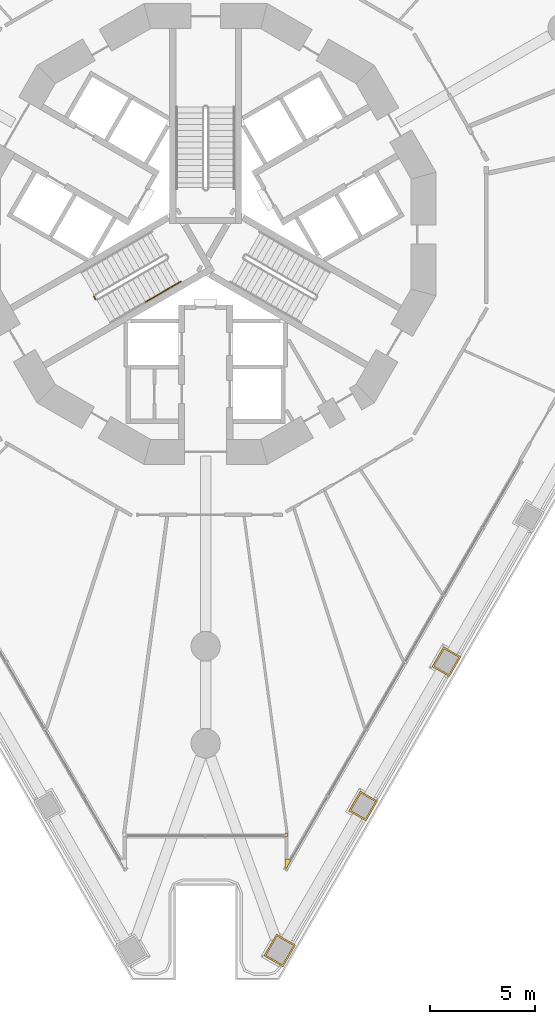
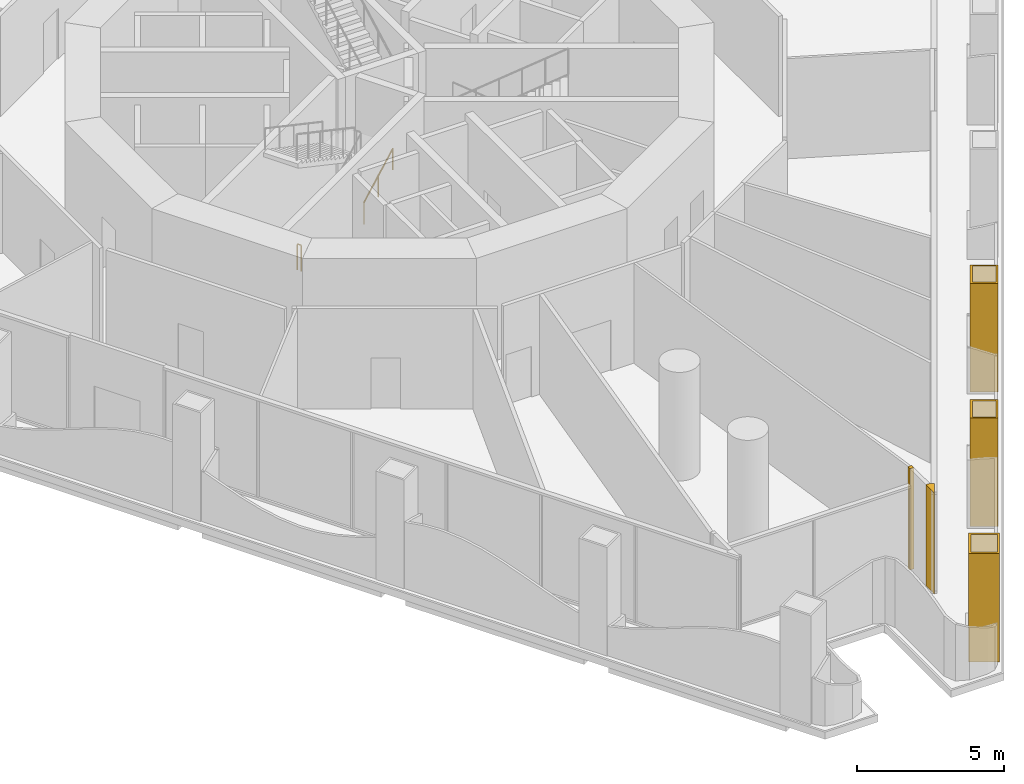
# One storey, part 16 of 21: 5 coverings, 2 railings.
"""IFC4 building model written with IfcOpenShell, lengths in metres."""

from ifc_helpers import new_model, si_unit, direction, frame, origin, origin_2d, place, context, subcontext, project, spatial, polyline, circle, outline, extrude, material, layer, layer_set, type_object, element, save


model = new_model("IFC4")

# Units and contexts
model_context = context("Model", 3, precision=1e-05, world=origin(), true_north=direction((0.0, 1.0)))
body_context = subcontext(model_context, "Body", "Model", "MODEL_VIEW")
ifc_project = project(units=[si_unit("LENGTHUNIT", "METRE"), si_unit("AREAUNIT", "SQUARE_METRE"), si_unit("VOLUMEUNIT", "CUBIC_METRE"), si_unit("PLANEANGLEUNIT", "RADIAN"), si_unit("MASSUNIT", "GRAM", prefix="KILO")], contexts=[model_context])

# Site, building, storey
site_placement = place(None, origin())
site = spatial("IfcSite", under=ifc_project, at=site_placement, CompositionType="ELEMENT")
building_placement = place(site_placement, origin())
building = spatial("IfcBuilding", under=site, at=building_placement, Name="Trine Commons Tower", CompositionType="ELEMENT")
storey_placement = place(building_placement, frame((0.0, 0.0, 27.0)))
storey = spatial("IfcBuildingStorey", under=building, at=storey_placement, Name="L05", CompositionType="ELEMENT", Elevation=27.0)

# Coverings
ifc_material_1 = material(Name="Aluminium-framed insulated wall panel", Category="aluminium")
ifc_layer_1 = layer(ifc_material_1, 0.14990234375)
ifc_layer_set_1 = layer_set([ifc_layer_1], Name="Aluminium-framed insulated wall panel")
covering_type_1 = type_object("IfcCoveringType", Name="Glazing corner post, aluminium", PredefinedType="CLADDING", material=ifc_layer_set_1)
covering_1_placement = place(storey_placement, origin())
element("IfcCovering", 1, at=covering_1_placement, inside=storey, type_object=covering_type_1, Name="Glazing corner post 1-09", PredefinedType="CLADDING", context=body_context, shape_type="SweptSolid", body=[
    extrude(outline(polyline([(83.7900390625, 32.635009765625), (83.7900390625, 32.0751953125), (84.06982421875, 32.56005859375), (83.93994140625, 32.635009765625), (83.93994140625, 32.635009765625), (83.7900390625, 32.635009765625)])), origin(), (0.0, 0.0, 1.0), 4.199951171875),
])
covering_2_placement = place(storey_placement, origin())
element("IfcCovering", 2, at=covering_2_placement, inside=storey, type_object=covering_type_1, Name="Glazing corner post 1-10", PredefinedType="CLADDING", context=body_context, shape_type="SweptSolid", body=[
    extrude(outline(polyline([(83.93994140625, 33.720703125), (83.93994140625, 33.870849609375), (83.7900390625, 33.870849609375), (83.7900390625, 33.720703125), (83.93994140625, 33.720703125)])), origin(), (0.0, 0.0, 1.0), 4.199951171875),
])
ifc_material_2 = material(Name="Limestone, honed", Category="masonry")
ifc_layer_2 = layer(ifc_material_2, 0.074951171875)
ifc_layer_set_2 = layer_set([ifc_layer_2], Name="Limestone, honed")
covering_type_2 = type_object("IfcCoveringType", Name="Limestone column cladding 75", PredefinedType="CLADDING", material=ifc_layer_set_2)
covering_3_placement = place(storey_placement, origin())
element("IfcCovering", 3, at=covering_3_placement, inside=storey, type_object=covering_type_2, Name="Limestone pier cladding 1-22", PredefinedType="CLADDING", context=body_context, shape_type="SweptSolid", body=[
    extrude(outline(polyline([(92.1943359375, 42.3017578125), (91.37158203125, 42.77685546875), (90.821533203125, 41.82421875), (91.644287109375, 41.34912109375), (92.1943359375, 42.3017578125)]), holes=[polyline([(92.091796875, 42.2744140625), (91.39892578125, 42.67431640625), (90.924072265625, 41.8515625), (91.61669921875, 41.45166015625), (92.091796875, 42.2744140625)])]), origin(), (0.0, 0.0, 1.0), 4.5),
])
covering_4_placement = place(storey_placement, origin())
element("IfcCovering", 4, at=covering_4_placement, inside=storey, type_object=covering_type_2, Name="Limestone pier cladding 1-23", PredefinedType="CLADDING", context=body_context, shape_type="SweptSolid", body=[
    extrude(outline(polyline([(88.212646484375, 35.4052734375), (87.389892578125, 35.88037109375), (86.83984375, 34.927734375), (87.66259765625, 34.45263671875), (88.212646484375, 35.4052734375)]), holes=[polyline([(88.110107421875, 35.3779296875), (87.417236328125, 35.77783203125), (86.9423828125, 34.955078125), (87.635009765625, 34.55517578125), (88.110107421875, 35.3779296875)])]), origin(), (0.0, 0.0, 1.0), 4.5),
])
covering_5_placement = place(storey_placement, origin())
element("IfcCovering", 5, at=covering_5_placement, inside=storey, type_object=covering_type_2, Name="Limestone pier cladding 1-24", PredefinedType="CLADDING", context=body_context, shape_type="SweptSolid", body=[
    extrude(outline(polyline([(84.29931640625, 28.527099609375), (83.389892578125, 29.052001953125), (82.789794921875, 28.012939453125), (83.69921875, 27.48779296875), (84.29931640625, 28.527099609375)]), holes=[polyline([(84.19677734375, 28.499755859375), (83.417236328125, 28.94970703125), (82.892333984375, 28.040283203125), (83.671630859375, 27.59033203125), (84.19677734375, 28.499755859375)])]), origin(), (0.0, 0.0, 1.0), 4.5),
])

# Railings
ifc_material_3 = material(Name="Stainless steel balustrade", Category="steel")
railing_type_1 = type_object("IfcRailingType", Name="Stair guard, steel balustrade 1100", PredefinedType="GUARDRAIL", material=ifc_material_3)
railing_1_placement = place(storey_placement, frame((74.73681640625, 59.374755859375, 0.0)))
element("IfcRailing", 6, at=railing_1_placement, inside=storey, type_object=railing_type_1, Name="L05 ST2A stair guard 4", PredefinedType="GUARDRAIL", context=body_context, shape_type="SweptSolid", body=[
    extrude(circle(Radius=0.02392578125, at=origin_2d()), frame((0.0, 0.0, 1.076171875), z_axis=(-0.499816412211, 0.866131372301, 0.0), x_axis=(-0.866131372301, -0.499816412211, 0.0)), (0.0, 0.0, 1.0), 0.14990234375),
    extrude(circle(Radius=0.02099609375, at=origin_2d()), origin(), (0.0, 0.0, 1.0), 1.052001953125),
    extrude(circle(Radius=0.02099609375, at=origin_2d()), frame((-0.074951171875, 0.1298828125, 0.0)), (0.0, 0.0, 1.0), 1.052001953125),
])
ifc_material_4 = material(Name="Stainless steel handrail", Category="steel")
railing_type_2 = type_object("IfcRailingType", Name="Stair handrail, steel 900", PredefinedType="HANDRAIL", material=ifc_material_4)
railing_2_placement = place(storey_placement, frame((77.127685546875, 59.25390625, 1.199951171875)))
element("IfcRailing", 7, at=railing_2_placement, inside=storey, type_object=railing_type_2, Name="L05 ST2A stair handrail 2", PredefinedType="HANDRAIL", context=body_context, shape_type="SweptSolid", body=[
    extrude(circle(Radius=0.02099609375, at=origin_2d()), frame((0.0, 0.0, 0.87890625), z_axis=(0.763352030933, 0.440750151347, 0.472263677365), x_axis=(-0.500024377727, 0.866011328839, 0.0)), (0.0, 0.0, 1.0), 2.223388671875),
    extrude(circle(Radius=0.01513671875, at=origin_2d()), origin(), (0.0, 0.0, 1.0), 0.85791015625),
    extrude(circle(Radius=0.01513671875, at=origin_2d()), frame((0.8486328125, 0.489990234375, 0.52490234375)), (0.0, 0.0, 1.0), 0.85791015625),
    extrude(circle(Radius=0.01513671875, at=origin_2d()), frame((1.697265625, 0.97998046875, 1.050048828125)), (0.0, 0.0, 1.0), 0.85791015625),
])

save(model, "model.ifc")
